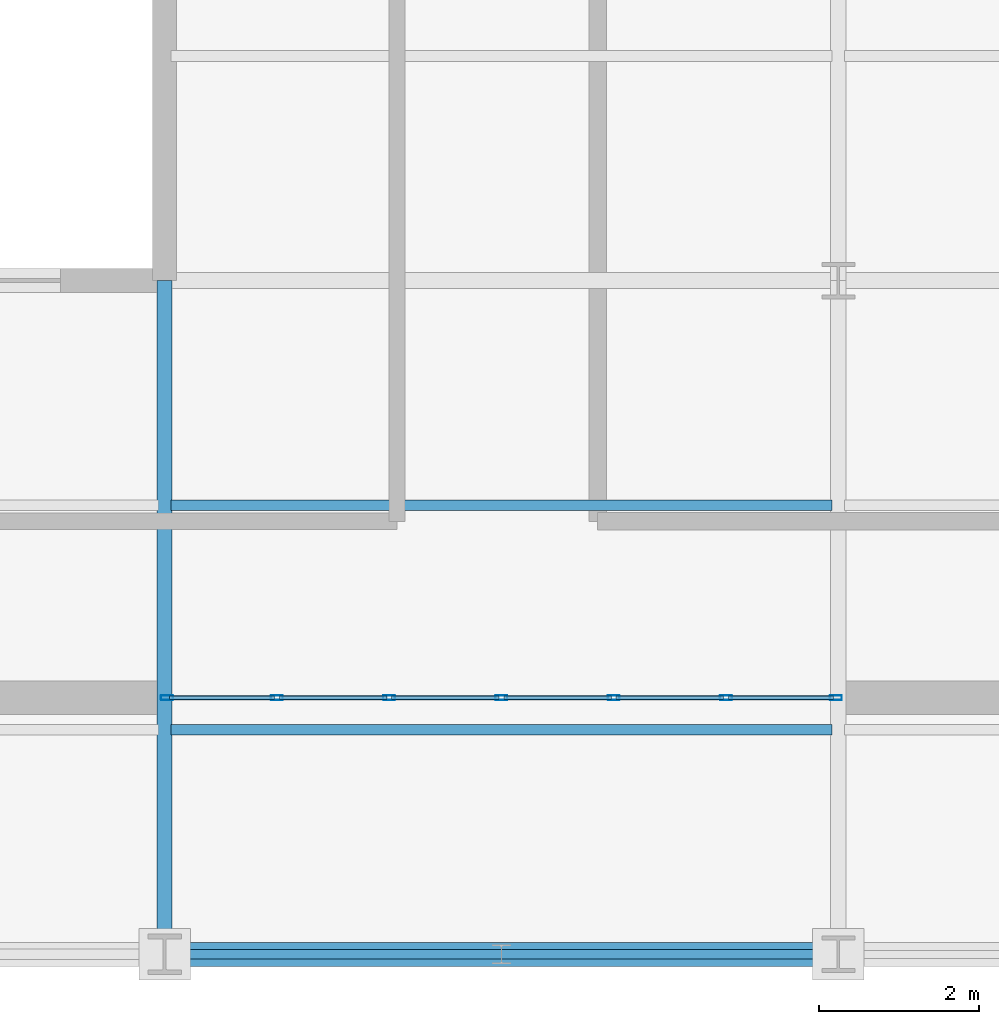
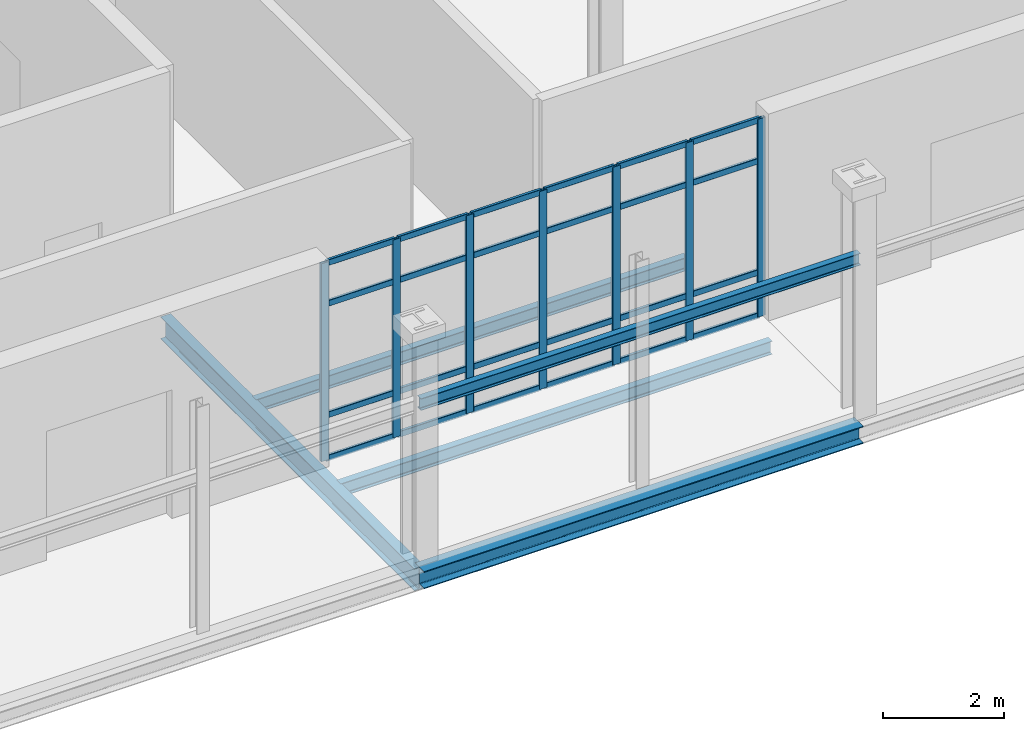
# One storey, part 23 of 145: 31 members, 5 beams, 1 element without a shape of its own.
"""IFC4 building model written with IfcOpenShell, lengths in metres."""

from ifc_helpers import new_model, si_unit, direction, frame, origin, origin_2d, place, context, subcontext, project, spatial, hollow_rectangle, i_section, extrude, material, layer, layer_set, material_profile, profile_set, type_object, element, aggregate, save


model = new_model("IFC4")

# Units and contexts
model_context = context("Model", 3, precision=1e-05, world=origin(), true_north=direction((0.0, 1.0)))
body_context = subcontext(model_context, "Body", "Model", "MODEL_VIEW")
ifc_project = project(units=[si_unit("LENGTHUNIT", "METRE"), si_unit("AREAUNIT", "SQUARE_METRE"), si_unit("VOLUMEUNIT", "CUBIC_METRE"), si_unit("PLANEANGLEUNIT", "RADIAN"), si_unit("MASSUNIT", "GRAM", prefix="KILO")], contexts=[model_context])

# Site, building, storey
site_placement = place(None, origin())
site = spatial("IfcSite", under=ifc_project, at=site_placement, CompositionType="ELEMENT")
building_placement = place(site_placement, origin())
building = spatial("IfcBuilding", under=site, at=building_placement, Name="Qalvenar Corner Mobility Hub", CompositionType="ELEMENT")
storey_placement = place(building_placement, origin())
storey = spatial("IfcBuildingStorey", under=building, at=storey_placement, Name="L00", CompositionType="ELEMENT", Elevation=0.0)

# Beams
ifc_material_1 = material(Name="Steel S355", Category="steel")
ifc_material_profile_1 = material_profile(ifc_material_1, i_section(OverallWidth=0.18994140625, OverallDepth=0.449951171875, WebThickness=0.009521484375, FlangeThickness=0.0146484375, FilletRadius=0.02099609375, at=origin_2d()), Name="IPE450")
ifc_profile_set_1 = profile_set([ifc_material_profile_1], Name="Steel S355")
beam_type_1 = type_object("IfcBeamType", Name="BM-IPE450", PredefinedType="BEAM", material=ifc_profile_set_1)
beam_1_placement = place(storey_placement, frame((16.800048828125, 0.0, -0.445068359375), z_axis=(0.0, 1.0, 0.0), x_axis=(-1.0, 0.0, 0.0)))
element("IfcBeam", 1, at=beam_1_placement, inside=storey, type_object=beam_type_1, Name="Primary Steel Girder GY-0047", PredefinedType="BEAM", context=body_context, shape_type="SweptSolid", body=[
    extrude(i_section(OverallWidth=0.18994140625, OverallDepth=0.449951171875, WebThickness=0.009521484375, FlangeThickness=0.0146484375, FilletRadius=0.02099609375, at=origin_2d()), origin(), (0.0, 0.0, 1.0), 8.39990234375),
])
ifc_material_profile_2 = material_profile(ifc_material_1, i_section(OverallWidth=0.135009765625, OverallDepth=0.27001953125, WebThickness=0.006591796875, FlangeThickness=0.01025390625, FilletRadius=0.014892578125, at=origin_2d()), Name="IPE270")
ifc_profile_set_2 = profile_set([ifc_material_profile_2], Name="Steel S355")
beam_type_2 = type_object("IfcBeamType", Name="BM-JST270", PredefinedType="JOIST", material=ifc_profile_set_2)
for number, where, z_axis, x_axis, name in (
    (2, (16.8779296875, 2.800048828125, -0.35498046875), (1.0, 0.0, 0.0), (0.0, 1.0, 0.0), "Composite Floor Joist J-0091"),
    (3, (16.8779296875, 5.60009765625, -0.35498046875), (1.0, 0.0, 0.0), (0.0, 1.0, 0.0), "Composite Floor Joist J-0092"),
):
    element("IfcBeam", number, at=place(storey_placement, frame(where, z_axis=z_axis, x_axis=x_axis)), inside=storey, type_object=beam_type_2, Name=name, PredefinedType="JOIST", context=body_context, shape_type="SweptSolid", body=[
        extrude(i_section(OverallWidth=0.135009765625, OverallDepth=0.27001953125, WebThickness=0.006591796875, FlangeThickness=0.01025390625, FilletRadius=0.014892578125, at=origin_2d()), origin(), (0.0, 0.0, 1.0), 8.244140625),
    ])
ifc_material_profile_3 = material_profile(ifc_material_1, i_section(OverallWidth=0.1201171875, OverallDepth=0.239990234375, WebThickness=0.006103515625, FlangeThickness=0.009765625, FilletRadius=0.014892578125, at=origin_2d()), Name="IPE240")
ifc_profile_set_3 = profile_set([ifc_material_profile_3], Name="Steel S355")
beam_type_3 = type_object("IfcBeamType", Name="BM-LNT240", PredefinedType="LINTEL", material=ifc_profile_set_3)
beam_2_placement = place(storey_placement, frame((16.800048828125, 0.0, 3.10009765625), z_axis=(1.0, 0.0, 0.0), x_axis=(0.0, 1.0, 0.0)))
element("IfcBeam", 4, at=beam_2_placement, inside=storey, type_object=beam_type_3, Name="Colonnade Shade Transom PRG-2", PredefinedType="LINTEL", context=body_context, shape_type="SweptSolid", body=[
    extrude(i_section(OverallWidth=0.1201171875, OverallDepth=0.239990234375, WebThickness=0.006103515625, FlangeThickness=0.009765625, FilletRadius=0.014892578125, at=origin_2d()), origin(), (0.0, 0.0, 1.0), 8.39990234375),
])
ifc_material_profile_4 = material_profile(ifc_material_1, i_section(OverallWidth=0.300048828125, OverallDepth=0.35009765625, WebThickness=0.010009765625, FlangeThickness=0.017578125, FilletRadius=0.027099609375, at=origin_2d()), Name="HEA360")
ifc_profile_set_4 = profile_set([ifc_material_profile_4], Name="Steel S355")
beam_type_4 = type_object("IfcBeamType", Name="BM-SPN360", PredefinedType="SPANDREL", material=ifc_profile_set_4)
beam_3_placement = place(storey_placement, frame((16.800048828125, 0.0, -0.39501953125), z_axis=(1.0, 0.0, 0.0), x_axis=(0.0, 1.0, 0.0)))
element("IfcBeam", 5, at=beam_3_placement, inside=storey, type_object=beam_type_4, Name="Primary Steel Girder GX-0003", PredefinedType="SPANDREL", context=body_context, shape_type="SweptSolid", body=[
    extrude(i_section(OverallWidth=0.300048828125, OverallDepth=0.35009765625, WebThickness=0.010009765625, FlangeThickness=0.017578125, FilletRadius=0.027099609375, at=origin_2d()), origin(), (0.0, 0.0, 1.0), 8.39990234375),
])

# Curtain wall, members
ifc_material_2 = material(Name="Anodised Aluminium and Low-E Glazing", Category="aluminium")
ifc_layer = layer(ifc_material_2, 0.14990234375)
ifc_layer_set = layer_set([ifc_layer], Name="Anodised Aluminium and Low-E Glazing")
curtain_wall_type = type_object("IfcCurtainWallType", Name="CW-CIV-84X40", PredefinedType="NOTDEFINED", material=ifc_layer_set)
curtain_wall_placement = place(storey_placement, origin())
curtain_wall = element("IfcCurtainWall", 6, at=curtain_wall_placement, inside=storey, type_object=curtain_wall_type, Name="Glazed Curtain Wall CW-V3-L00-S001", PredefinedType="NOTDEFINED")
ifc_material_3 = material(Name="Anodised Aluminium 6063-T6", Category="aluminium")
ifc_material_profile_5 = material_profile(ifc_material_3, hollow_rectangle(XDim=0.06005859375, YDim=0.14990234375, WallThickness=0.00390625, InnerFilletRadius=0.00390625, OuterFilletRadius=0.008056640625, at=origin_2d()), Name="RHS150x60x4")
ifc_profile_set_5 = profile_set([ifc_material_profile_5], Name="Anodised Aluminium 6063-T6")
member_type_1 = type_object("IfcMemberType", Name="CW-MUL150", PredefinedType="MULLION", material=ifc_profile_set_5)
member_1_placement = place(storey_placement, frame((16.830078125, 3.199951171875, 0.0), z_axis=(0.0, 0.0, 1.0), x_axis=(0.0, 1.0, 0.0)))
member_1 = element("IfcMember", 7, at=member_1_placement, type_object=member_type_1, Name="CW-05 mullion 1", PredefinedType="MULLION", context=body_context, shape_type="SweptSolid", body=[
    extrude(hollow_rectangle(XDim=0.06005859375, YDim=0.14990234375, WallThickness=0.00390625, InnerFilletRadius=0.00390625, OuterFilletRadius=0.008056640625, at=origin_2d()), origin(), (0.0, 0.0, 1.0), 4.0),
])
member_2_placement = place(storey_placement, frame((18.199951171875, 3.199951171875, 0.0), z_axis=(0.0, 0.0, 1.0), x_axis=(0.0, 1.0, 0.0)))
member_2 = element("IfcMember", 8, at=member_2_placement, type_object=member_type_1, Name="CW-05 mullion 2", PredefinedType="MULLION", context=body_context, shape_type="SweptSolid", body=[
    extrude(hollow_rectangle(XDim=0.06005859375, YDim=0.14990234375, WallThickness=0.00390625, InnerFilletRadius=0.00390625, OuterFilletRadius=0.008056640625, at=origin_2d()), origin(), (0.0, 0.0, 1.0), 4.0),
])
member_3_placement = place(storey_placement, frame((19.60009765625, 3.199951171875, 0.0), z_axis=(0.0, 0.0, 1.0), x_axis=(0.0, 1.0, 0.0)))
member_3 = element("IfcMember", 9, at=member_3_placement, type_object=member_type_1, Name="CW-05 mullion 3", PredefinedType="MULLION", context=body_context, shape_type="SweptSolid", body=[
    extrude(hollow_rectangle(XDim=0.06005859375, YDim=0.14990234375, WallThickness=0.00390625, InnerFilletRadius=0.00390625, OuterFilletRadius=0.008056640625, at=origin_2d()), origin(), (0.0, 0.0, 1.0), 4.0),
])
member_4_placement = place(storey_placement, frame((21.0, 3.199951171875, 0.0), z_axis=(0.0, 0.0, 1.0), x_axis=(0.0, 1.0, 0.0)))
member_4 = element("IfcMember", 10, at=member_4_placement, type_object=member_type_1, Name="CW-05 mullion 4", PredefinedType="MULLION", context=body_context, shape_type="SweptSolid", body=[
    extrude(hollow_rectangle(XDim=0.06005859375, YDim=0.14990234375, WallThickness=0.00390625, InnerFilletRadius=0.00390625, OuterFilletRadius=0.008056640625, at=origin_2d()), origin(), (0.0, 0.0, 1.0), 4.0),
])
member_5_placement = place(storey_placement, frame((22.39990234375, 3.199951171875, 0.0), z_axis=(0.0, 0.0, 1.0), x_axis=(0.0, 1.0, 0.0)))
member_5 = element("IfcMember", 11, at=member_5_placement, type_object=member_type_1, Name="CW-05 mullion 5", PredefinedType="MULLION", context=body_context, shape_type="SweptSolid", body=[
    extrude(hollow_rectangle(XDim=0.06005859375, YDim=0.14990234375, WallThickness=0.00390625, InnerFilletRadius=0.00390625, OuterFilletRadius=0.008056640625, at=origin_2d()), origin(), (0.0, 0.0, 1.0), 4.0),
])
member_6_placement = place(storey_placement, frame((23.800048828125, 3.199951171875, 0.0), z_axis=(0.0, 0.0, 1.0), x_axis=(0.0, 1.0, 0.0)))
member_6 = element("IfcMember", 12, at=member_6_placement, type_object=member_type_1, Name="CW-05 mullion 6", PredefinedType="MULLION", context=body_context, shape_type="SweptSolid", body=[
    extrude(hollow_rectangle(XDim=0.06005859375, YDim=0.14990234375, WallThickness=0.00390625, InnerFilletRadius=0.00390625, OuterFilletRadius=0.008056640625, at=origin_2d()), origin(), (0.0, 0.0, 1.0), 4.0),
])
member_7_placement = place(storey_placement, frame((25.169921875, 3.199951171875, 0.0), z_axis=(0.0, 0.0, 1.0), x_axis=(0.0, 1.0, 0.0)))
member_7 = element("IfcMember", 13, at=member_7_placement, type_object=member_type_1, Name="CW-05 mullion 7", PredefinedType="MULLION", context=body_context, shape_type="SweptSolid", body=[
    extrude(hollow_rectangle(XDim=0.06005859375, YDim=0.14990234375, WallThickness=0.00390625, InnerFilletRadius=0.00390625, OuterFilletRadius=0.008056640625, at=origin_2d()), origin(), (0.0, 0.0, 1.0), 4.0),
])
ifc_material_profile_6 = material_profile(ifc_material_3, hollow_rectangle(XDim=0.054931640625, YDim=0.1201171875, WallThickness=0.00341796875, InnerFilletRadius=0.00341796875, OuterFilletRadius=0.007080078125, at=origin_2d()), Name="RHS120x55x3.5")
ifc_profile_set_6 = profile_set([ifc_material_profile_6], Name="Anodised Aluminium 6063-T6")
member_type_2 = type_object("IfcMemberType", Name="CW-TRN120", PredefinedType="USERDEFINED", material=ifc_profile_set_6)
member_8_placement = place(storey_placement, frame((16.860107421875, 3.199951171875, 0.027587890625), z_axis=(1.0, 0.0, 0.0), x_axis=(0.0, 1.0, 0.0)))
member_8 = element("IfcMember", 14, at=member_8_placement, type_object=member_type_2, Name="CW-05 transom 1.1", ObjectType="TRANSOM", PredefinedType="USERDEFINED", context=body_context, shape_type="SweptSolid", body=[
    extrude(hollow_rectangle(XDim=0.054931640625, YDim=0.1201171875, WallThickness=0.00341796875, InnerFilletRadius=0.00341796875, OuterFilletRadius=0.007080078125, at=origin_2d()), origin(), (0.0, 0.0, 1.0), 1.309814453125),
])
member_9_placement = place(storey_placement, frame((16.860107421875, 3.199951171875, 0.89990234375), z_axis=(1.0, 0.0, 0.0), x_axis=(0.0, 1.0, 0.0)))
member_9 = element("IfcMember", 15, at=member_9_placement, type_object=member_type_2, Name="CW-05 transom 1.2", ObjectType="TRANSOM", PredefinedType="USERDEFINED", context=body_context, shape_type="SweptSolid", body=[
    extrude(hollow_rectangle(XDim=0.054931640625, YDim=0.1201171875, WallThickness=0.00341796875, InnerFilletRadius=0.00341796875, OuterFilletRadius=0.007080078125, at=origin_2d()), origin(), (0.0, 0.0, 1.0), 1.309814453125),
])
member_10_placement = place(storey_placement, frame((16.860107421875, 3.199951171875, 3.14990234375), z_axis=(1.0, 0.0, 0.0), x_axis=(0.0, 1.0, 0.0)))
member_10 = element("IfcMember", 16, at=member_10_placement, type_object=member_type_2, Name="CW-05 transom 1.3", ObjectType="TRANSOM", PredefinedType="USERDEFINED", context=body_context, shape_type="SweptSolid", body=[
    extrude(hollow_rectangle(XDim=0.054931640625, YDim=0.1201171875, WallThickness=0.00341796875, InnerFilletRadius=0.00341796875, OuterFilletRadius=0.007080078125, at=origin_2d()), origin(), (0.0, 0.0, 1.0), 1.309814453125),
])
member_11_placement = place(storey_placement, frame((16.860107421875, 3.199951171875, 3.972412109375), z_axis=(1.0, 0.0, 0.0), x_axis=(0.0, 1.0, 0.0)))
member_11 = element("IfcMember", 17, at=member_11_placement, type_object=member_type_2, Name="CW-05 transom 1.4", ObjectType="TRANSOM", PredefinedType="USERDEFINED", context=body_context, shape_type="SweptSolid", body=[
    extrude(hollow_rectangle(XDim=0.054931640625, YDim=0.1201171875, WallThickness=0.00341796875, InnerFilletRadius=0.00341796875, OuterFilletRadius=0.007080078125, at=origin_2d()), origin(), (0.0, 0.0, 1.0), 1.309814453125),
])
member_12_placement = place(storey_placement, frame((18.22998046875, 3.199951171875, 0.027587890625), z_axis=(1.0, 0.0, 0.0), x_axis=(0.0, 1.0, 0.0)))
member_12 = element("IfcMember", 18, at=member_12_placement, type_object=member_type_2, Name="CW-05 transom 2.1", ObjectType="TRANSOM", PredefinedType="USERDEFINED", context=body_context, shape_type="SweptSolid", body=[
    extrude(hollow_rectangle(XDim=0.054931640625, YDim=0.1201171875, WallThickness=0.00341796875, InnerFilletRadius=0.00341796875, OuterFilletRadius=0.007080078125, at=origin_2d()), origin(), (0.0, 0.0, 1.0), 1.340087890625),
])
member_13_placement = place(storey_placement, frame((18.22998046875, 3.199951171875, 0.89990234375), z_axis=(1.0, 0.0, 0.0), x_axis=(0.0, 1.0, 0.0)))
member_13 = element("IfcMember", 19, at=member_13_placement, type_object=member_type_2, Name="CW-05 transom 2.2", ObjectType="TRANSOM", PredefinedType="USERDEFINED", context=body_context, shape_type="SweptSolid", body=[
    extrude(hollow_rectangle(XDim=0.054931640625, YDim=0.1201171875, WallThickness=0.00341796875, InnerFilletRadius=0.00341796875, OuterFilletRadius=0.007080078125, at=origin_2d()), origin(), (0.0, 0.0, 1.0), 1.340087890625),
])
member_14_placement = place(storey_placement, frame((18.22998046875, 3.199951171875, 3.14990234375), z_axis=(1.0, 0.0, 0.0), x_axis=(0.0, 1.0, 0.0)))
member_14 = element("IfcMember", 20, at=member_14_placement, type_object=member_type_2, Name="CW-05 transom 2.3", ObjectType="TRANSOM", PredefinedType="USERDEFINED", context=body_context, shape_type="SweptSolid", body=[
    extrude(hollow_rectangle(XDim=0.054931640625, YDim=0.1201171875, WallThickness=0.00341796875, InnerFilletRadius=0.00341796875, OuterFilletRadius=0.007080078125, at=origin_2d()), origin(), (0.0, 0.0, 1.0), 1.340087890625),
])
member_15_placement = place(storey_placement, frame((18.22998046875, 3.199951171875, 3.972412109375), z_axis=(1.0, 0.0, 0.0), x_axis=(0.0, 1.0, 0.0)))
member_15 = element("IfcMember", 21, at=member_15_placement, type_object=member_type_2, Name="CW-05 transom 2.4", ObjectType="TRANSOM", PredefinedType="USERDEFINED", context=body_context, shape_type="SweptSolid", body=[
    extrude(hollow_rectangle(XDim=0.054931640625, YDim=0.1201171875, WallThickness=0.00341796875, InnerFilletRadius=0.00341796875, OuterFilletRadius=0.007080078125, at=origin_2d()), origin(), (0.0, 0.0, 1.0), 1.340087890625),
])
member_16_placement = place(storey_placement, frame((19.6298828125, 3.199951171875, 0.027587890625), z_axis=(1.0, 0.0, 0.0), x_axis=(0.0, 1.0, 0.0)))
member_16 = element("IfcMember", 22, at=member_16_placement, type_object=member_type_2, Name="CW-05 transom 3.1", ObjectType="TRANSOM", PredefinedType="USERDEFINED", context=body_context, shape_type="SweptSolid", body=[
    extrude(hollow_rectangle(XDim=0.054931640625, YDim=0.1201171875, WallThickness=0.00341796875, InnerFilletRadius=0.00341796875, OuterFilletRadius=0.007080078125, at=origin_2d()), origin(), (0.0, 0.0, 1.0), 1.340087890625),
])
member_17_placement = place(storey_placement, frame((19.6298828125, 3.199951171875, 0.89990234375), z_axis=(1.0, 0.0, 0.0), x_axis=(0.0, 1.0, 0.0)))
member_17 = element("IfcMember", 23, at=member_17_placement, type_object=member_type_2, Name="CW-05 transom 3.2", ObjectType="TRANSOM", PredefinedType="USERDEFINED", context=body_context, shape_type="SweptSolid", body=[
    extrude(hollow_rectangle(XDim=0.054931640625, YDim=0.1201171875, WallThickness=0.00341796875, InnerFilletRadius=0.00341796875, OuterFilletRadius=0.007080078125, at=origin_2d()), origin(), (0.0, 0.0, 1.0), 1.340087890625),
])
member_18_placement = place(storey_placement, frame((19.6298828125, 3.199951171875, 3.14990234375), z_axis=(1.0, 0.0, 0.0), x_axis=(0.0, 1.0, 0.0)))
member_18 = element("IfcMember", 24, at=member_18_placement, type_object=member_type_2, Name="CW-05 transom 3.3", ObjectType="TRANSOM", PredefinedType="USERDEFINED", context=body_context, shape_type="SweptSolid", body=[
    extrude(hollow_rectangle(XDim=0.054931640625, YDim=0.1201171875, WallThickness=0.00341796875, InnerFilletRadius=0.00341796875, OuterFilletRadius=0.007080078125, at=origin_2d()), origin(), (0.0, 0.0, 1.0), 1.340087890625),
])
member_19_placement = place(storey_placement, frame((19.6298828125, 3.199951171875, 3.972412109375), z_axis=(1.0, 0.0, 0.0), x_axis=(0.0, 1.0, 0.0)))
member_19 = element("IfcMember", 25, at=member_19_placement, type_object=member_type_2, Name="CW-05 transom 3.4", ObjectType="TRANSOM", PredefinedType="USERDEFINED", context=body_context, shape_type="SweptSolid", body=[
    extrude(hollow_rectangle(XDim=0.054931640625, YDim=0.1201171875, WallThickness=0.00341796875, InnerFilletRadius=0.00341796875, OuterFilletRadius=0.007080078125, at=origin_2d()), origin(), (0.0, 0.0, 1.0), 1.340087890625),
])
member_20_placement = place(storey_placement, frame((21.030029296875, 3.199951171875, 0.027587890625), z_axis=(1.0, 0.0, 0.0), x_axis=(0.0, 1.0, 0.0)))
member_20 = element("IfcMember", 26, at=member_20_placement, type_object=member_type_2, Name="CW-05 transom 4.1", ObjectType="TRANSOM", PredefinedType="USERDEFINED", context=body_context, shape_type="SweptSolid", body=[
    extrude(hollow_rectangle(XDim=0.054931640625, YDim=0.1201171875, WallThickness=0.00341796875, InnerFilletRadius=0.00341796875, OuterFilletRadius=0.007080078125, at=origin_2d()), origin(), (0.0, 0.0, 1.0), 1.340087890625),
])
member_21_placement = place(storey_placement, frame((21.030029296875, 3.199951171875, 0.89990234375), z_axis=(1.0, 0.0, 0.0), x_axis=(0.0, 1.0, 0.0)))
member_21 = element("IfcMember", 27, at=member_21_placement, type_object=member_type_2, Name="CW-05 transom 4.2", ObjectType="TRANSOM", PredefinedType="USERDEFINED", context=body_context, shape_type="SweptSolid", body=[
    extrude(hollow_rectangle(XDim=0.054931640625, YDim=0.1201171875, WallThickness=0.00341796875, InnerFilletRadius=0.00341796875, OuterFilletRadius=0.007080078125, at=origin_2d()), origin(), (0.0, 0.0, 1.0), 1.340087890625),
])
member_22_placement = place(storey_placement, frame((21.030029296875, 3.199951171875, 3.14990234375), z_axis=(1.0, 0.0, 0.0), x_axis=(0.0, 1.0, 0.0)))
member_22 = element("IfcMember", 28, at=member_22_placement, type_object=member_type_2, Name="CW-05 transom 4.3", ObjectType="TRANSOM", PredefinedType="USERDEFINED", context=body_context, shape_type="SweptSolid", body=[
    extrude(hollow_rectangle(XDim=0.054931640625, YDim=0.1201171875, WallThickness=0.00341796875, InnerFilletRadius=0.00341796875, OuterFilletRadius=0.007080078125, at=origin_2d()), origin(), (0.0, 0.0, 1.0), 1.340087890625),
])
member_23_placement = place(storey_placement, frame((21.030029296875, 3.199951171875, 3.972412109375), z_axis=(1.0, 0.0, 0.0), x_axis=(0.0, 1.0, 0.0)))
member_23 = element("IfcMember", 29, at=member_23_placement, type_object=member_type_2, Name="CW-05 transom 4.4", ObjectType="TRANSOM", PredefinedType="USERDEFINED", context=body_context, shape_type="SweptSolid", body=[
    extrude(hollow_rectangle(XDim=0.054931640625, YDim=0.1201171875, WallThickness=0.00341796875, InnerFilletRadius=0.00341796875, OuterFilletRadius=0.007080078125, at=origin_2d()), origin(), (0.0, 0.0, 1.0), 1.340087890625),
])
member_24_placement = place(storey_placement, frame((22.429931640625, 3.199951171875, 0.027587890625), z_axis=(1.0, 0.0, 0.0), x_axis=(0.0, 1.0, 0.0)))
member_24 = element("IfcMember", 30, at=member_24_placement, type_object=member_type_2, Name="CW-05 transom 5.1", ObjectType="TRANSOM", PredefinedType="USERDEFINED", context=body_context, shape_type="SweptSolid", body=[
    extrude(hollow_rectangle(XDim=0.054931640625, YDim=0.1201171875, WallThickness=0.00341796875, InnerFilletRadius=0.00341796875, OuterFilletRadius=0.007080078125, at=origin_2d()), origin(), (0.0, 0.0, 1.0), 1.340087890625),
])
member_25_placement = place(storey_placement, frame((22.429931640625, 3.199951171875, 0.89990234375), z_axis=(1.0, 0.0, 0.0), x_axis=(0.0, 1.0, 0.0)))
member_25 = element("IfcMember", 31, at=member_25_placement, type_object=member_type_2, Name="CW-05 transom 5.2", ObjectType="TRANSOM", PredefinedType="USERDEFINED", context=body_context, shape_type="SweptSolid", body=[
    extrude(hollow_rectangle(XDim=0.054931640625, YDim=0.1201171875, WallThickness=0.00341796875, InnerFilletRadius=0.00341796875, OuterFilletRadius=0.007080078125, at=origin_2d()), origin(), (0.0, 0.0, 1.0), 1.340087890625),
])
member_26_placement = place(storey_placement, frame((22.429931640625, 3.199951171875, 3.14990234375), z_axis=(1.0, 0.0, 0.0), x_axis=(0.0, 1.0, 0.0)))
member_26 = element("IfcMember", 32, at=member_26_placement, type_object=member_type_2, Name="CW-05 transom 5.3", ObjectType="TRANSOM", PredefinedType="USERDEFINED", context=body_context, shape_type="SweptSolid", body=[
    extrude(hollow_rectangle(XDim=0.054931640625, YDim=0.1201171875, WallThickness=0.00341796875, InnerFilletRadius=0.00341796875, OuterFilletRadius=0.007080078125, at=origin_2d()), origin(), (0.0, 0.0, 1.0), 1.340087890625),
])
member_27_placement = place(storey_placement, frame((22.429931640625, 3.199951171875, 3.972412109375), z_axis=(1.0, 0.0, 0.0), x_axis=(0.0, 1.0, 0.0)))
member_27 = element("IfcMember", 33, at=member_27_placement, type_object=member_type_2, Name="CW-05 transom 5.4", ObjectType="TRANSOM", PredefinedType="USERDEFINED", context=body_context, shape_type="SweptSolid", body=[
    extrude(hollow_rectangle(XDim=0.054931640625, YDim=0.1201171875, WallThickness=0.00341796875, InnerFilletRadius=0.00341796875, OuterFilletRadius=0.007080078125, at=origin_2d()), origin(), (0.0, 0.0, 1.0), 1.340087890625),
])
member_28_placement = place(storey_placement, frame((23.830078125, 3.199951171875, 0.027587890625), z_axis=(1.0, 0.0, 0.0), x_axis=(0.0, 1.0, 0.0)))
member_28 = element("IfcMember", 34, at=member_28_placement, type_object=member_type_2, Name="CW-05 transom 6.1", ObjectType="TRANSOM", PredefinedType="USERDEFINED", context=body_context, shape_type="SweptSolid", body=[
    extrude(hollow_rectangle(XDim=0.054931640625, YDim=0.1201171875, WallThickness=0.00341796875, InnerFilletRadius=0.00341796875, OuterFilletRadius=0.007080078125, at=origin_2d()), origin(), (0.0, 0.0, 1.0), 1.309814453125),
])
member_29_placement = place(storey_placement, frame((23.830078125, 3.199951171875, 0.89990234375), z_axis=(1.0, 0.0, 0.0), x_axis=(0.0, 1.0, 0.0)))
member_29 = element("IfcMember", 35, at=member_29_placement, type_object=member_type_2, Name="CW-05 transom 6.2", ObjectType="TRANSOM", PredefinedType="USERDEFINED", context=body_context, shape_type="SweptSolid", body=[
    extrude(hollow_rectangle(XDim=0.054931640625, YDim=0.1201171875, WallThickness=0.00341796875, InnerFilletRadius=0.00341796875, OuterFilletRadius=0.007080078125, at=origin_2d()), origin(), (0.0, 0.0, 1.0), 1.309814453125),
])
member_30_placement = place(storey_placement, frame((23.830078125, 3.199951171875, 3.14990234375), z_axis=(1.0, 0.0, 0.0), x_axis=(0.0, 1.0, 0.0)))
member_30 = element("IfcMember", 36, at=member_30_placement, type_object=member_type_2, Name="CW-05 transom 6.3", ObjectType="TRANSOM", PredefinedType="USERDEFINED", context=body_context, shape_type="SweptSolid", body=[
    extrude(hollow_rectangle(XDim=0.054931640625, YDim=0.1201171875, WallThickness=0.00341796875, InnerFilletRadius=0.00341796875, OuterFilletRadius=0.007080078125, at=origin_2d()), origin(), (0.0, 0.0, 1.0), 1.309814453125),
])
member_31_placement = place(storey_placement, frame((23.830078125, 3.199951171875, 3.972412109375), z_axis=(1.0, 0.0, 0.0), x_axis=(0.0, 1.0, 0.0)))
member_31 = element("IfcMember", 37, at=member_31_placement, type_object=member_type_2, Name="CW-05 transom 6.4", ObjectType="TRANSOM", PredefinedType="USERDEFINED", context=body_context, shape_type="SweptSolid", body=[
    extrude(hollow_rectangle(XDim=0.054931640625, YDim=0.1201171875, WallThickness=0.00341796875, InnerFilletRadius=0.00341796875, OuterFilletRadius=0.007080078125, at=origin_2d()), origin(), (0.0, 0.0, 1.0), 1.309814453125),
])
aggregate(curtain_wall, [member_1, member_2, member_3, member_4, member_5, member_6, member_7, member_8, member_9, member_10, member_11, member_12, member_13, member_14, member_15, member_16, member_17, member_18, member_19, member_20, member_21, member_22, member_23, member_24, member_25, member_26, member_27, member_28, member_29, member_30, member_31])

save(model, "model.ifc")
